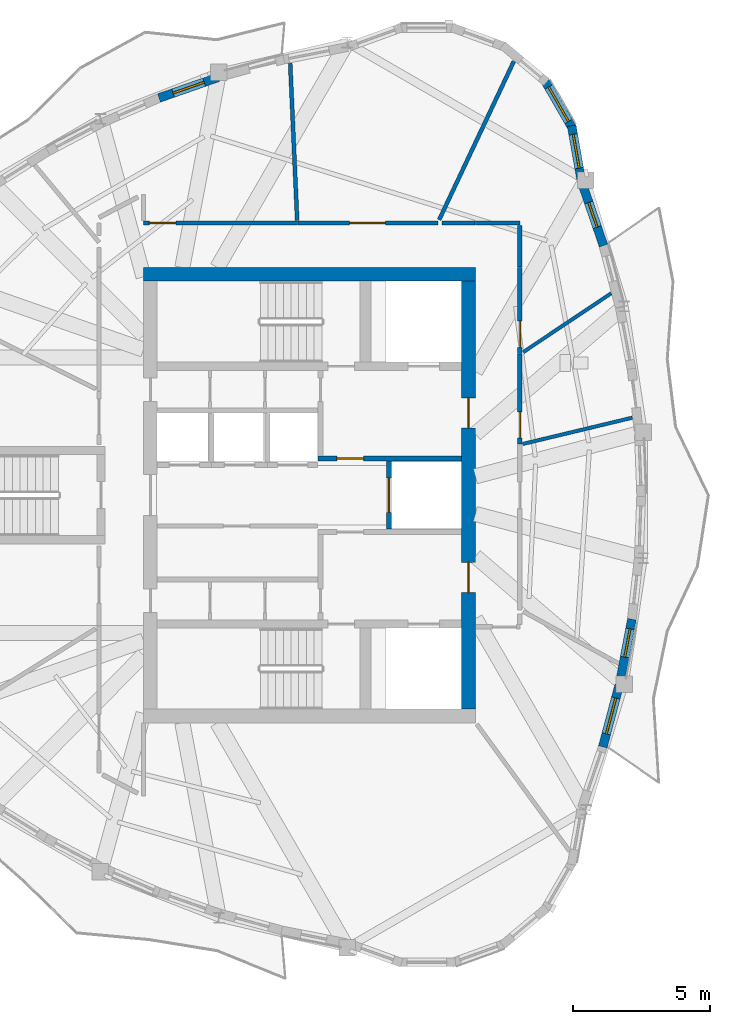
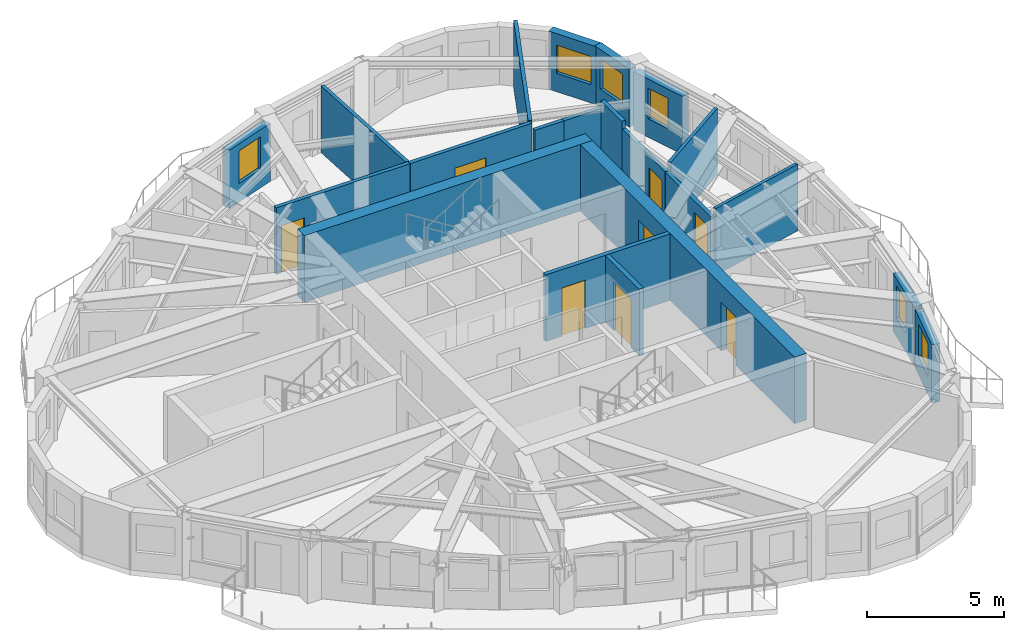
# One storey, part 6 of 11: 21 walls, 8 doors, 6 windows, 14 openings.
"""IFC4 building model written with IfcOpenShell, lengths in metres."""

from ifc_helpers import new_model, si_unit, direction, frame, frame_2d, origin, place, context, subcontext, project, spatial, rectangle, extrude, source, transform, mapped, material, layer, layer_set, type_object, element, fill, save


model = new_model("IFC4")

# Units and contexts
model_context = context("Model", 3, precision=1e-05, world=origin(), true_north=direction((0.0, 1.0)))
body_context = subcontext(model_context, "Body", "Model", "MODEL_VIEW")
ifc_project = project(units=[si_unit("LENGTHUNIT", "METRE"), si_unit("AREAUNIT", "SQUARE_METRE"), si_unit("VOLUMEUNIT", "CUBIC_METRE"), si_unit("PLANEANGLEUNIT", "RADIAN"), si_unit("MASSUNIT", "GRAM", prefix="KILO")], contexts=[model_context])

# Site, building, storey
site_placement = place(None, origin())
site = spatial("IfcSite", under=ifc_project, at=site_placement, CompositionType="ELEMENT")
building_placement = place(site_placement, origin())
building = spatial("IfcBuilding", under=site, at=building_placement, Name="Qafzar Sky-Pleat Residences", CompositionType="ELEMENT")
storey_placement = place(building_placement, frame((0.0, 0.0, 221.199951171875)))
storey = spatial("IfcBuildingStorey", under=building, at=storey_placement, Name="L66", CompositionType="ELEMENT", Elevation=221.199951171875)

# Wall, opening, door
ifc_material_1 = material(Name="Acoustic gypsum plasterboard partition", Category="gypsum")
ifc_layer_1 = layer(ifc_material_1, 0.159912109375)
ifc_layer_set_1 = layer_set([ifc_layer_1], Name="Acoustic gypsum plasterboard partition")
wall_type_1 = type_object("IfcWallType", Name="PART-COR-160", PredefinedType="PARTITIONING", material=ifc_layer_set_1)
wall_1_placement = place(storey_placement, frame((24.300048828125, 35.919921875, 0.0), z_axis=(0.0, 0.0, 1.0), x_axis=(1.0, 0.0, 0.0)))
wall_1 = element("IfcWall", 1, at=wall_1_placement, inside=storey, type_object=wall_type_1, Name="L66 Partition Wall PART-L66-PW-002", PredefinedType="PARTITIONING", context=body_context, shape_type="SweptSolid", body=[
    extrude(rectangle(XDim=5.623046875, YDim=0.159912109375, at=frame_2d((2.8115234375, 0.0))), origin(), (0.0, 0.0, 1.0), 2.9599609375),
])
opening_1_placement = place(wall_1_placement, frame((0.219970703125, 0.0, 0.0)))
opening_1 = element("IfcOpeningElement", 2, at=opening_1_placement, cuts=wall_1, Name="Opening ID-06", PredefinedType="OPENING", context=body_context, shape_type="SweptSolid", body=[
    extrude(rectangle(XDim=0.9599609375, YDim=2.10009765625, at=frame_2d((0.47998046875, 1.050048828125))), frame((0.0, 0.08984375, 0.0), z_axis=(0.0, -1.0, 0.0), x_axis=(1.0, 0.0, 0.0)), (0.0, 0.0, 1.0), 0.179931640625),
])
ifc_material_2 = material(Name="Timber-faced fire door", Category="wood")
door_type_1 = type_object("IfcDoorType", Name="DR-STD-960", OperationType="NOTDEFINED", PredefinedType="DOOR", material=ifc_material_2)
shared_shape_1 = source(origin(), body_context, "Body", "SweptSolid", [
    extrude(rectangle(XDim=0.9599609375, YDim=2.10009765625, at=frame_2d((0.47998046875, 1.050048828125))), frame((0.0, 0.02490234375, 0.0), z_axis=(0.0, -1.0, 0.0), x_axis=(1.0, 0.0, 0.0)), (0.0, 0.0, 1.0), 0.050048828125),
])
door_1_placement = place(opening_1_placement, origin())
door_1 = element("IfcDoor", 3, at=door_1_placement, inside=storey, type_object=door_type_1, Name="L66 Reading Library Door", OperationType="SINGLE_SWING_LEFT", OverallHeight=2.10009765625, OverallWidth=0.9599609375, PredefinedType="DOOR", context=body_context, shape_type="MappedRepresentation", body=[
    mapped(shared_shape_1, transform((0.0, 0.0, 0.0), x_axis=(1.0, 0.0, 0.0), y_axis=(0.0, 1.0, 0.0), z_axis=(0.0, 0.0, 1.0), scale=1.0)),
])
fill(opening_1, door_1)

wall_2_placement = place(storey_placement, frame((29.93798828125, 35.919921875, 0.0), z_axis=(0.0, 0.0, 1.0), x_axis=(1.0, 0.0, 0.0)))
wall_2 = element("IfcWall", 4, at=wall_2_placement, inside=storey, type_object=wall_type_1, Name="L66 Partition Wall PART-L66-PW-004", PredefinedType="PARTITIONING", context=body_context, shape_type="SweptSolid", body=[
    extrude(rectangle(XDim=5.10302734375, YDim=0.159912109375, at=frame_2d((2.551513671875, 0.0))), origin(), (0.0, 0.0, 1.0), 2.9599609375),
])
opening_2_placement = place(wall_2_placement, frame((1.8779296875, 0.0, 0.0)))
opening_2 = element("IfcOpeningElement", 5, at=opening_2_placement, cuts=wall_2, Name="Opening ID-05", PredefinedType="OPENING", context=body_context, shape_type="SweptSolid", body=[
    extrude(rectangle(XDim=1.300048828125, YDim=2.10009765625, at=frame_2d((0.64990234375, 1.050048828125))), frame((0.0, 0.08984375, 0.0), z_axis=(0.0, -1.0, 0.0), x_axis=(1.0, 0.0, 0.0)), (0.0, 0.0, 1.0), 0.179931640625),
])
door_type_2 = type_object("IfcDoorType", Name="DR-LNG-1300", OperationType="DOUBLE_DOOR_SINGLE_SWING", PredefinedType="DOOR", material=ifc_material_2)
shared_shape_2 = source(origin(), body_context, "Body", "SweptSolid", [
    extrude(rectangle(XDim=1.300048828125, YDim=2.10009765625, at=frame_2d((0.64990234375, 1.050048828125))), frame((0.0, 0.02490234375, 0.0), z_axis=(0.0, -1.0, 0.0), x_axis=(1.0, 0.0, 0.0)), (0.0, 0.0, 1.0), 0.050048828125),
])
door_2_placement = place(opening_2_placement, origin())
door_2 = element("IfcDoor", 6, at=door_2_placement, inside=storey, type_object=door_type_2, Name="L66 Graduate Lecture Room Door", OperationType="DOUBLE_DOOR_SINGLE_SWING", OverallHeight=2.10009765625, OverallWidth=1.300048828125, PredefinedType="DOOR", context=body_context, shape_type="MappedRepresentation", body=[
    mapped(shared_shape_2, transform((0.0, 0.0, 0.0), x_axis=(1.0, 0.0, 0.0), y_axis=(0.0, 1.0, 0.0), z_axis=(0.0, 0.0, 1.0), scale=1.0)),
])
fill(opening_2, door_2)

wall_3_placement = place(storey_placement, frame((38.02001953125, 31.14892578125, 0.0), z_axis=(0.0, 0.0, 1.0), x_axis=(0.0, -1.0, 0.0)))
wall_3 = element("IfcWall", 7, at=wall_3_placement, inside=storey, type_object=wall_type_1, Name="L66 Partition Wall PART-L66-PW-006", PredefinedType="PARTITIONING", context=body_context, shape_type="SweptSolid", body=[
    extrude(rectangle(XDim=3.27880859375, YDim=0.159912109375, at=frame_2d((1.639404296875, 0.0))), origin(), (0.0, 0.0, 1.0), 2.6279296875),
])
opening_3_placement = place(wall_3_placement, frame((2.10888671875, 0.0, 0.0)))
opening_3 = element("IfcOpeningElement", 8, at=opening_3_placement, cuts=wall_3, Name="Opening ID-08", PredefinedType="OPENING", context=body_context, shape_type="SweptSolid", body=[
    extrude(rectangle(XDim=0.949951171875, YDim=2.10009765625, at=frame_2d((0.47509765625, 1.050048828125))), frame((0.0, 0.08984375, 0.0), z_axis=(0.0, -1.0, 0.0), x_axis=(1.0, 0.0, 0.0)), (0.0, 0.0, 1.0), 0.179931640625),
])
door_type_3 = type_object("IfcDoorType", Name="DR-AWC-950", OperationType="NOTDEFINED", PredefinedType="DOOR", material=ifc_material_2)
shared_shape_3 = source(origin(), body_context, "Body", "SweptSolid", [
    extrude(rectangle(XDim=0.949951171875, YDim=2.10009765625, at=frame_2d((0.47509765625, 1.050048828125))), frame((0.0, 0.02490234375, 0.0), z_axis=(0.0, -1.0, 0.0), x_axis=(1.0, 0.0, 0.0)), (0.0, 0.0, 1.0), 0.050048828125),
])
door_3_placement = place(opening_3_placement, origin())
door_3 = element("IfcDoor", 9, at=door_3_placement, inside=storey, type_object=door_type_3, Name="L66 Accessible Shared Washroom Door", OperationType="SINGLE_SWING_LEFT", OverallHeight=2.10009765625, OverallWidth=0.949951171875, PredefinedType="DOOR", context=body_context, shape_type="MappedRepresentation", body=[
    mapped(shared_shape_3, transform((0.0, 0.0, 0.0), x_axis=(1.0, 0.0, 0.0), y_axis=(0.0, 1.0, 0.0), z_axis=(0.0, 0.0, 1.0), scale=1.0)),
])
fill(opening_3, door_3)

wall_4_placement = place(storey_placement, frame((38.02001953125, 31.1640625, 0.0), z_axis=(0.0, 0.0, 1.0), x_axis=(0.0, 1.0, 0.0)))
wall_4 = element("IfcWall", 10, at=wall_4_placement, inside=storey, type_object=wall_type_1, Name="L66 Partition Wall PART-L66-PW-007", PredefinedType="PARTITIONING", context=body_context, shape_type="SweptSolid", body=[
    extrude(rectangle(XDim=3.135986328125, YDim=0.159912109375, at=frame_2d((1.56787109375, 0.0))), origin(), (0.0, 0.0, 1.0), 2.6279296875),
])
opening_4_placement = place(wall_4_placement, frame((0.219970703125, 0.0, 0.0)))
opening_4 = element("IfcOpeningElement", 11, at=opening_4_placement, cuts=wall_4, Name="Opening ID-06", PredefinedType="OPENING", context=body_context, shape_type="SweptSolid", body=[
    extrude(rectangle(XDim=0.9599609375, YDim=2.10009765625, at=frame_2d((0.47998046875, 1.050048828125))), frame((0.0, 0.08984375, 0.0), z_axis=(0.0, -1.0, 0.0), x_axis=(1.0, 0.0, 0.0)), (0.0, 0.0, 1.0), 0.179931640625),
])
door_4_placement = place(opening_4_placement, origin())
door_4 = element("IfcDoor", 12, at=door_4_placement, inside=storey, type_object=door_type_1, Name="L66 Quiet Prayer Room Door", OperationType="SINGLE_SWING_RIGHT", OverallHeight=2.10009765625, OverallWidth=0.9599609375, PredefinedType="DOOR", context=body_context, shape_type="MappedRepresentation", body=[
    mapped(shared_shape_1, transform((0.0, 0.0, 0.0), x_axis=(1.0, 0.0, 0.0), y_axis=(0.0, 1.0, 0.0), z_axis=(0.0, 0.0, 1.0), scale=1.0)),
])
fill(opening_4, door_4)

# Walls
wall_5_placement = place(storey_placement, frame((36.39990234375, 35.919921875, 0.0), z_axis=(0.0, 0.0, 1.0), x_axis=(1.0, 0.0, 0.0)))
element("IfcWall", 13, at=wall_5_placement, inside=storey, type_object=wall_type_1, Name="L66 Partition Wall PART-L66-PW-022", PredefinedType="PARTITIONING", context=body_context, shape_type="SweptSolid", body=[
    extrude(rectangle(XDim=1.6201171875, YDim=0.159912109375, at=frame_2d((0.81005859375, 0.0))), origin(), (0.0, 0.0, 1.0), 2.59814453125),
])
wall_6_placement = place(storey_placement, frame((38.02001953125, 34.31494140625, 0.0), z_axis=(0.0, 0.0, 1.0), x_axis=(0.0, 1.0, 0.0)))
element("IfcWall", 14, at=wall_6_placement, inside=storey, type_object=wall_type_1, Name="L66 Partition Wall PART-L66-PW-023", PredefinedType="PARTITIONING", context=body_context, shape_type="SweptSolid", body=[
    extrude(rectangle(XDim=1.51708984375, YDim=0.159912109375, at=frame_2d((0.758544921875, 0.0))), origin(), (0.0, 0.0, 1.0), 2.9599609375),
])
wall_7_placement = place(storey_placement, frame((35.181884765625, 35.919921875, 0.0), z_axis=(0.0, 0.0, 1.0), x_axis=(1.0, 0.0, 0.0)))
element("IfcWall", 15, at=wall_7_placement, inside=storey, type_object=wall_type_1, Name="L66 Partition Wall PART-L66-PW-026", PredefinedType="PARTITIONING", context=body_context, shape_type="SweptSolid", body=[
    extrude(rectangle(XDim=1.203125, YDim=0.159912109375, at=frame_2d((0.6015625, 0.0))), origin(), (0.0, 0.0, 1.0), 2.59814453125),
])

# Wall, opening, door
ifc_material_3 = material(Name="Concrete blockwork partition", Category="masonry")
ifc_layer_2 = layer(ifc_material_3, 0.179931640625)
ifc_layer_set_2 = layer_set([ifc_layer_2], Name="Concrete blockwork partition")
wall_type_2 = type_object("IfcWallType", Name="PART-SHAFT-180", PredefinedType="PARTITIONING", material=ifc_layer_set_2)
wall_8_placement = place(storey_placement, frame((30.669921875, 27.340087890625, 0.0), z_axis=(0.0, 0.0, 1.0), x_axis=(1.0, 0.0, 0.0)))
wall_8 = element("IfcWall", 16, at=wall_8_placement, inside=storey, type_object=wall_type_2, Name="L66 Partition Wall PART-L66-FFL2-S", PredefinedType="PARTITIONING", context=body_context, shape_type="SweptSolid", body=[
    extrude(rectangle(XDim=5.219970703125, YDim=0.179931640625, at=frame_2d((2.60986328125, 0.0))), origin(), (0.0, 0.0, 1.0), 2.9599609375),
])
opening_5_placement = place(wall_8_placement, frame((0.679931640625, 0.0, 0.0)))
opening_5 = element("IfcOpeningElement", 17, at=opening_5_placement, cuts=wall_8, Name="Opening ID-01", PredefinedType="OPENING", context=body_context, shape_type="SweptSolid", body=[
    extrude(rectangle(XDim=0.97998046875, YDim=2.14990234375, at=frame_2d((0.489990234375, 1.074951171875))), frame((0.0, 0.10009765625, 0.0), z_axis=(0.0, -1.0, 0.0), x_axis=(1.0, 0.0, 0.0)), (0.0, 0.0, 1.0), 0.199951171875),
])
door_type_4 = type_object("IfcDoorType", Name="DR-STAIR-980", OperationType="NOTDEFINED", PredefinedType="DOOR", material=ifc_material_2)
shared_shape_4 = source(origin(), body_context, "Body", "SweptSolid", [
    extrude(rectangle(XDim=0.97998046875, YDim=2.14990234375, at=frame_2d((0.489990234375, 1.074951171875))), frame((0.0, 0.02490234375, 0.0), z_axis=(0.0, -1.0, 0.0), x_axis=(1.0, 0.0, 0.0)), (0.0, 0.0, 1.0), 0.050048828125),
])
door_5_placement = place(opening_5_placement, origin())
door_5 = element("IfcDoor", 18, at=door_5_placement, inside=storey, type_object=door_type_4, Name="L66 Lift Lobby to North Firefighting Lobby Door", OperationType="SINGLE_SWING_RIGHT", OverallHeight=2.14990234375, OverallWidth=0.97998046875, PredefinedType="DOOR", context=body_context, shape_type="MappedRepresentation", body=[
    mapped(shared_shape_4, transform((0.0, 0.0, 0.0), x_axis=(1.0, 0.0, 0.0), y_axis=(0.0, 1.0, 0.0), z_axis=(0.0, 0.0, 1.0), scale=1.0)),
])
fill(opening_5, door_5)

wall_9_placement = place(storey_placement, frame((33.25, 24.760009765625, 0.0), z_axis=(0.0, 0.0, 1.0), x_axis=(0.0, 1.0, 0.0)))
wall_9 = element("IfcWall", 19, at=wall_9_placement, inside=storey, type_object=wall_type_2, Name="L66 Partition Wall PART-L66-SV1-W", PredefinedType="PARTITIONING", context=body_context, shape_type="SweptSolid", body=[
    extrude(rectangle(XDim=2.47998046875, YDim=0.179931640625, at=frame_2d((1.239990234375, 0.0))), origin(), (0.0, 0.0, 1.0), 2.9599609375),
])
opening_6_placement = place(wall_9_placement, frame((0.614990234375, 0.0, 0.0)))
opening_6 = element("IfcOpeningElement", 20, at=opening_6_placement, cuts=wall_9, Name="Opening LD-03", PredefinedType="OPENING", context=body_context, shape_type="SweptSolid", body=[
    extrude(rectangle(XDim=1.25, YDim=2.14990234375, at=frame_2d((0.625, 1.074951171875))), frame((0.0, 0.10009765625, 0.0), z_axis=(0.0, -1.0, 0.0), x_axis=(1.0, 0.0, 0.0)), (0.0, 0.0, 1.0), 0.199951171875),
])
ifc_material_4 = material(Name="Stainless steel sliding landing door", Category="steel")
door_type_5 = type_object("IfcDoorType", Name="DR-LIFT-SV", OperationType="DOUBLE_DOOR_SLIDING", PredefinedType="DOOR", material=ifc_material_4)
shared_shape_5 = source(origin(), body_context, "Body", "SweptSolid", [
    extrude(rectangle(XDim=1.25, YDim=2.14990234375, at=frame_2d((0.625, 1.074951171875))), frame((0.0, 0.02490234375, 0.0), z_axis=(0.0, -1.0, 0.0), x_axis=(1.0, 0.0, 0.0)), (0.0, 0.0, 1.0), 0.050048828125),
])
door_6_placement = place(opening_6_placement, origin())
door_6 = element("IfcDoor", 21, at=door_6_placement, inside=storey, type_object=door_type_5, Name="L66 Service Lift SV1 Landing Door", OperationType="DOUBLE_DOOR_SLIDING", OverallHeight=2.14990234375, OverallWidth=1.25, PredefinedType="DOOR", context=body_context, shape_type="MappedRepresentation", body=[
    mapped(shared_shape_5, transform((0.0, 0.0, 0.0), x_axis=(1.0, 0.0, 0.0), y_axis=(0.0, 1.0, 0.0), z_axis=(0.0, 0.0, 1.0), scale=1.0)),
])
fill(opening_6, door_6)

# Walls
ifc_layer_3 = layer(ifc_material_1, 0.14501953125)
ifc_layer_set_3 = layer_set([ifc_layer_3], Name="Acoustic gypsum plasterboard partition")
wall_type_3 = type_object("IfcWallType", Name="PART-UNIT-145", PredefinedType="PARTITIONING", material=ifc_layer_set_3)
wall_10_placement = place(storey_placement, frame((35.07958984375, 36.0380859375, 0.0), z_axis=(0.0, 0.0, 1.0), x_axis=(0.426214985607, 0.904621902258, 0.0)))
element("IfcWall", 22, at=wall_10_placement, inside=storey, type_object=wall_type_3, Name="L66 Partition Wall PART-L66-PW-014", PredefinedType="PARTITIONING", context=body_context, shape_type="SweptSolid", body=[
    extrude(rectangle(XDim=6.385009765625, YDim=0.14501953125, at=frame_2d((3.1923828125, 0.0))), origin(), (0.0, 0.0, 1.0), 2.9599609375),
])
wall_11_placement = place(storey_placement, frame((29.6494140625, 41.74462890625, 0.0), z_axis=(0.0, 0.0, 1.0), x_axis=(0.044327022296, -0.999017074476, 0.0)))
element("IfcWall", 23, at=wall_11_placement, inside=storey, type_object=wall_type_3, Name="L66 Partition Wall PART-L66-PW-015", PredefinedType="PARTITIONING", context=body_context, shape_type="SweptSolid", body=[
    extrude(rectangle(XDim=5.739013671875, YDim=0.14501953125, at=frame_2d((2.86962890625, 0.0))), origin(), (0.0, 0.0, 1.0), 2.9599609375),
])
ifc_material_5 = material(Name="Moisture-resistant gypsum partition", Category="gypsum")
ifc_layer_4 = layer(ifc_material_5, 0.1298828125)
ifc_layer_set_4 = layer_set([ifc_layer_4], Name="Moisture-resistant gypsum partition")
wall_type_4 = type_object("IfcWallType", Name="PART-WET-130", PredefinedType="PARTITIONING", material=ifc_layer_set_4)
wall_12_placement = place(storey_placement, frame((38.122802734375, 27.86474609375, 0.0), z_axis=(0.0, 0.0, 1.0), x_axis=(0.972444961782, 0.233132572379, 0.0)))
element("IfcWall", 24, at=wall_12_placement, inside=storey, type_object=wall_type_4, Name="L66 Partition Wall PART-L66-PW-017", PredefinedType="PARTITIONING", context=body_context, shape_type="SweptSolid", body=[
    extrude(rectangle(XDim=4.1103515625, YDim=0.1298828125, at=frame_2d((2.05517578125, 0.0))), origin(), (0.0, 0.0, 1.0), 2.9599609375),
])
wall_13_placement = place(storey_placement, frame((38.142822265625, 31.213134765625, 0.0), z_axis=(0.0, 0.0, 1.0), x_axis=(0.831154063558, 0.556042195009, 0.0)))
element("IfcWall", 25, at=wall_13_placement, inside=storey, type_object=wall_type_4, Name="L66 Partition Wall PART-L66-PW-019", PredefinedType="PARTITIONING", context=body_context, shape_type="SweptSolid", body=[
    extrude(rectangle(XDim=3.8603515625, YDim=0.1298828125, at=frame_2d((1.93017578125, 0.0))), origin(), (0.0, 0.0, 1.0), 2.9599609375),
])

# Wall, opening, window
ifc_material_6 = material(Name="Precast concrete C40/50 with honed Riyadh limestone", Category="concrete")
ifc_layer_5 = layer(ifc_material_6, 0.320068359375)
ifc_layer_set_5 = layer_set([ifc_layer_5], Name="Precast concrete C40/50 with honed Riyadh limestone")
wall_type_5 = type_object("IfcWallType", Name="WALL-EXT-320", PredefinedType="SOLIDWALL", material=ifc_layer_set_5)
wall_14_placement = place(storey_placement, frame((41.04541015625, 16.824462890625, 0.0), z_axis=(0.0, 0.0, 1.0), x_axis=(0.257099982868, 0.966384808867, 0.0)))
wall_14 = element("IfcWall", 26, at=wall_14_placement, inside=storey, type_object=wall_type_5, Name="L66 Limestone Facade Wall 24", PredefinedType="SOLIDWALL", context=body_context, shape_type="SweptSolid", body=[
    extrude(rectangle(XDim=2.32275390625, YDim=0.320068359375, at=frame_2d((1.161376953125, 0.0))), origin(), (0.0, 0.0, 1.0), 2.580078125),
])
opening_7_placement = place(wall_14_placement, frame((0.491455078125, 0.0, 0.820068359375)))
opening_7 = element("IfcOpeningElement", 27, at=opening_7_placement, cuts=wall_14, Name="Opening WN-04", PredefinedType="OPENING", context=body_context, shape_type="SweptSolid", body=[
    extrude(rectangle(XDim=1.35009765625, YDim=1.449951171875, at=frame_2d((0.675048828125, 0.72509765625))), frame((0.0, 0.169921875, 0.0), z_axis=(0.0, -1.0, 0.0), x_axis=(1.0, 0.0, 0.0)), (0.0, 0.0, 1.0), 0.340087890625),
])
ifc_material_7 = material(Name="Solar-control low-E glass in bronze aluminium frame", Category="glass")
window_type_1 = type_object("IfcWindowType", Name="WIN-04", PartitioningType="SINGLE_PANEL", PredefinedType="WINDOW", material=ifc_material_7)
shared_shape_6 = source(origin(), body_context, "Body", "SweptSolid", [
    extrude(rectangle(XDim=1.35009765625, YDim=1.449951171875, at=frame_2d((0.675048828125, 0.72509765625))), frame((0.0, 0.030029296875, 0.0), z_axis=(0.0, -1.0, 0.0), x_axis=(1.0, 0.0, 0.0)), (0.0, 0.0, 1.0), 0.06005859375),
])
window_1_placement = place(opening_7_placement, origin())
window_1 = element("IfcWindow", 28, at=window_1_placement, inside=storey, type_object=window_type_1, Name="L66 Punched Facade Window 24", OverallHeight=1.449951171875, OverallWidth=1.35009765625, PartitioningType="SINGLE_PANEL", PredefinedType="WINDOW", context=body_context, shape_type="MappedRepresentation", body=[
    mapped(shared_shape_6, transform((0.0, 0.0, 0.0), x_axis=(1.0, 0.0, 0.0), y_axis=(0.0, 1.0, 0.0), z_axis=(0.0, 0.0, 1.0), scale=1.0)),
])
fill(opening_7, window_1)

wall_15_placement = place(storey_placement, frame((41.679931640625, 19.2333984375, 0.0), z_axis=(0.0, 0.0, 1.0), x_axis=(0.186630727552, 0.982430135701, 0.0)))
wall_15 = element("IfcWall", 29, at=wall_15_placement, inside=storey, type_object=wall_type_5, Name="L66 Limestone Facade Wall 25", PredefinedType="SOLIDWALL", context=body_context, shape_type="SweptSolid", body=[
    extrude(rectangle(XDim=2.283935546875, YDim=0.320068359375, at=frame_2d((1.14208984375, 0.0))), origin(), (0.0, 0.0, 1.0), 2.580078125),
])
opening_8_placement = place(wall_15_placement, frame((0.877685546875, 0.0, 0.820068359375)))
opening_8 = element("IfcOpeningElement", 30, at=opening_8_placement, cuts=wall_15, Name="Opening WN-06", PredefinedType="OPENING", context=body_context, shape_type="SweptSolid", body=[
    extrude(rectangle(XDim=1.050048828125, YDim=1.449951171875, at=frame_2d((0.52490234375, 0.72509765625))), frame((0.0, 0.169921875, 0.0), z_axis=(0.0, -1.0, 0.0), x_axis=(1.0, 0.0, 0.0)), (0.0, 0.0, 1.0), 0.340087890625),
])
window_type_2 = type_object("IfcWindowType", Name="WIN-06", PartitioningType="SINGLE_PANEL", PredefinedType="WINDOW", material=ifc_material_7)
shared_shape_7 = source(origin(), body_context, "Body", "SweptSolid", [
    extrude(rectangle(XDim=1.050048828125, YDim=1.449951171875, at=frame_2d((0.52490234375, 0.72509765625))), frame((0.0, 0.030029296875, 0.0), z_axis=(0.0, -1.0, 0.0), x_axis=(1.0, 0.0, 0.0)), (0.0, 0.0, 1.0), 0.06005859375),
])
window_2_placement = place(opening_8_placement, origin())
window_2 = element("IfcWindow", 31, at=window_2_placement, inside=storey, type_object=window_type_2, Name="L66 Punched Facade Window 25-2", OverallHeight=1.449951171875, OverallWidth=1.050048828125, PartitioningType="SINGLE_PANEL", PredefinedType="WINDOW", context=body_context, shape_type="MappedRepresentation", body=[
    mapped(shared_shape_7, transform((0.0, 0.0, 0.0), x_axis=(1.0, 0.0, 0.0), y_axis=(0.0, 1.0, 0.0), z_axis=(0.0, 0.0, 1.0), scale=1.0)),
])
fill(opening_8, window_2)

wall_16_placement = place(storey_placement, frame((41.07080078125, 35.09228515625, 0.0), z_axis=(0.0, 0.0, 1.0), x_axis=(-0.323624668926, 0.946185538709, 0.0)))
wall_16 = element("IfcWall", 32, at=wall_16_placement, inside=storey, type_object=wall_type_5, Name="L66 Limestone Facade Wall 32", PredefinedType="SOLIDWALL", context=body_context, shape_type="SweptSolid", body=[
    extrude(rectangle(XDim=2.373291015625, YDim=0.320068359375, at=frame_2d((1.1865234375, 0.0))), origin(), (0.0, 0.0, 1.0), 2.580078125),
])
opening_9_placement = place(wall_16_placement, frame((0.716796875, 0.0, 0.820068359375)))
opening_9 = element("IfcOpeningElement", 33, at=opening_9_placement, cuts=wall_16, Name="Opening WN-12", PredefinedType="OPENING", context=body_context, shape_type="SweptSolid", body=[
    extrude(rectangle(XDim=0.949951171875, YDim=1.35009765625, at=frame_2d((0.47509765625, 0.675048828125))), frame((0.0, 0.169921875, 0.0), z_axis=(0.0, -1.0, 0.0), x_axis=(1.0, 0.0, 0.0)), (0.0, 0.0, 1.0), 0.340087890625),
])
window_type_3 = type_object("IfcWindowType", Name="WIN-12", PartitioningType="SINGLE_PANEL", PredefinedType="WINDOW", material=ifc_material_7)
shared_shape_8 = source(origin(), body_context, "Body", "SweptSolid", [
    extrude(rectangle(XDim=0.949951171875, YDim=1.35009765625, at=frame_2d((0.47509765625, 0.675048828125))), frame((0.0, 0.030029296875, 0.0), z_axis=(0.0, -1.0, 0.0), x_axis=(1.0, 0.0, 0.0)), (0.0, 0.0, 1.0), 0.06005859375),
])
window_3_placement = place(opening_9_placement, origin())
window_3 = element("IfcWindow", 34, at=window_3_placement, inside=storey, type_object=window_type_3, Name="L66 Punched Facade Window 32", OverallHeight=1.35009765625, OverallWidth=0.949951171875, PartitioningType="SINGLE_PANEL", PredefinedType="WINDOW", context=body_context, shape_type="MappedRepresentation", body=[
    mapped(shared_shape_8, transform((0.0, 0.0, 0.0), x_axis=(1.0, 0.0, 0.0), y_axis=(0.0, 1.0, 0.0), z_axis=(0.0, 0.0, 1.0), scale=1.0)),
])
fill(opening_9, window_3)

wall_17_placement = place(storey_placement, frame((40.251708984375, 37.53564453125, 0.0), z_axis=(0.0, 0.0, 1.0), x_axis=(-0.173671780312, 0.984803590937, 0.0)))
wall_17 = element("IfcWall", 35, at=wall_17_placement, inside=storey, type_object=wall_type_5, Name="L66 Limestone Facade Wall 33", PredefinedType="SOLIDWALL", context=body_context, shape_type="SweptSolid", body=[
    extrude(rectangle(XDim=1.96240234375, YDim=0.320068359375, at=frame_2d((0.981201171875, 0.0))), origin(), (0.0, 0.0, 1.0), 2.580078125),
])
opening_10_placement = place(wall_17_placement, frame((0.39111328125, 0.0, 0.820068359375)))
opening_10 = element("IfcOpeningElement", 36, at=opening_10_placement, cuts=wall_17, Name="Opening WN-11", PredefinedType="OPENING", context=body_context, shape_type="SweptSolid", body=[
    extrude(rectangle(XDim=1.25, YDim=1.35009765625, at=frame_2d((0.625, 0.675048828125))), frame((0.0, 0.169921875, 0.0), z_axis=(0.0, -1.0, 0.0), x_axis=(1.0, 0.0, 0.0)), (0.0, 0.0, 1.0), 0.340087890625),
])
window_type_4 = type_object("IfcWindowType", Name="WIN-11", PartitioningType="SINGLE_PANEL", PredefinedType="WINDOW", material=ifc_material_7)
shared_shape_9 = source(origin(), body_context, "Body", "SweptSolid", [
    extrude(rectangle(XDim=1.25, YDim=1.35009765625, at=frame_2d((0.625, 0.675048828125))), frame((0.0, 0.030029296875, 0.0), z_axis=(0.0, -1.0, 0.0), x_axis=(1.0, 0.0, 0.0)), (0.0, 0.0, 1.0), 0.06005859375),
])
window_4_placement = place(opening_10_placement, origin())
window_4 = element("IfcWindow", 37, at=window_4_placement, inside=storey, type_object=window_type_4, Name="L66 Punched Facade Window 33", OverallHeight=1.35009765625, OverallWidth=1.25, PartitioningType="SINGLE_PANEL", PredefinedType="WINDOW", context=body_context, shape_type="MappedRepresentation", body=[
    mapped(shared_shape_9, transform((0.0, 0.0, 0.0), x_axis=(1.0, 0.0, 0.0), y_axis=(0.0, 1.0, 0.0), z_axis=(0.0, 0.0, 1.0), scale=1.0)),
])
fill(opening_10, window_4)

wall_18_placement = place(storey_placement, frame((39.95556640625, 39.345703125, 0.0), z_axis=(0.0, 0.0, 1.0), x_axis=(-0.499995423472, 0.866028046028, 0.0)))
wall_18 = element("IfcWall", 38, at=wall_18_placement, inside=storey, type_object=wall_type_5, Name="L66 Limestone Facade Wall 34", PredefinedType="SOLIDWALL", context=body_context, shape_type="SweptSolid", body=[
    extrude(rectangle(XDim=2.09033203125, YDim=0.320068359375, at=frame_2d((1.045166015625, 0.0))), origin(), (0.0, 0.0, 1.0), 2.580078125),
])
opening_11_placement = place(wall_18_placement, frame((0.320068359375, 0.0, 0.820068359375)))
opening_11 = element("IfcOpeningElement", 39, at=opening_11_placement, cuts=wall_18, Name="Opening WN-15", PredefinedType="OPENING", context=body_context, shape_type="SweptSolid", body=[
    extrude(rectangle(XDim=1.449951171875, YDim=1.25, at=frame_2d((0.72509765625, 0.625))), frame((0.0, 0.169921875, 0.0), z_axis=(0.0, -1.0, 0.0), x_axis=(1.0, 0.0, 0.0)), (0.0, 0.0, 1.0), 0.340087890625),
])
window_type_5 = type_object("IfcWindowType", Name="WIN-15", PartitioningType="SINGLE_PANEL", PredefinedType="WINDOW", material=ifc_material_7)
shared_shape_10 = source(origin(), body_context, "Body", "SweptSolid", [
    extrude(rectangle(XDim=1.449951171875, YDim=1.25, at=frame_2d((0.72509765625, 0.625))), frame((0.0, 0.030029296875, 0.0), z_axis=(0.0, -1.0, 0.0), x_axis=(1.0, 0.0, 0.0)), (0.0, 0.0, 1.0), 0.06005859375),
])
window_5_placement = place(opening_11_placement, origin())
window_5 = element("IfcWindow", 40, at=window_5_placement, inside=storey, type_object=window_type_5, Name="L66 Punched Facade Window 34", OverallHeight=1.25, OverallWidth=1.449951171875, PartitioningType="SINGLE_PANEL", PredefinedType="WINDOW", context=body_context, shape_type="MappedRepresentation", body=[
    mapped(shared_shape_10, transform((0.0, 0.0, 0.0), x_axis=(1.0, 0.0, 0.0), y_axis=(0.0, 1.0, 0.0), z_axis=(0.0, 0.0, 1.0), scale=1.0)),
])
fill(opening_11, window_5)

wall_19_placement = place(storey_placement, frame((27.02001953125, 41.23046875, 0.0), z_axis=(0.0, 0.0, 1.0), x_axis=(-0.944142960918, -0.329536142705, 0.0)))
wall_19 = element("IfcWall", 41, at=wall_19_placement, inside=storey, type_object=wall_type_5, Name="L66 Limestone Facade Wall 41", PredefinedType="SOLIDWALL", context=body_context, shape_type="SweptSolid", body=[
    extrude(rectangle(XDim=2.2841796875, YDim=0.320068359375, at=frame_2d((1.14208984375, 0.0))), origin(), (0.0, 0.0, 1.0), 2.580078125),
])
opening_12_placement = place(wall_19_placement, frame((0.537109375, 0.0, 0.820068359375)))
opening_12 = element("IfcOpeningElement", 42, at=opening_12_placement, cuts=wall_19, Name="Opening WN-05", PredefinedType="OPENING", context=body_context, shape_type="SweptSolid", body=[
    extrude(rectangle(XDim=1.199951171875, YDim=1.449951171875, at=frame_2d((0.60009765625, 0.72509765625))), frame((0.0, 0.169921875, 0.0), z_axis=(0.0, -1.0, 0.0), x_axis=(1.0, 0.0, 0.0)), (0.0, 0.0, 1.0), 0.340087890625),
])
window_type_6 = type_object("IfcWindowType", Name="WIN-05", PartitioningType="SINGLE_PANEL", PredefinedType="WINDOW", material=ifc_material_7)
shared_shape_11 = source(origin(), body_context, "Body", "SweptSolid", [
    extrude(rectangle(XDim=1.199951171875, YDim=1.449951171875, at=frame_2d((0.60009765625, 0.72509765625))), frame((0.0, 0.030029296875, 0.0), z_axis=(0.0, -1.0, 0.0), x_axis=(1.0, 0.0, 0.0)), (0.0, 0.0, 1.0), 0.06005859375),
])
window_6_placement = place(opening_12_placement, origin())
window_6 = element("IfcWindow", 43, at=window_6_placement, inside=storey, type_object=window_type_6, Name="L66 Punched Facade Window 41", OverallHeight=1.449951171875, OverallWidth=1.199951171875, PartitioningType="SINGLE_PANEL", PredefinedType="WINDOW", context=body_context, shape_type="MappedRepresentation", body=[
    mapped(shared_shape_11, transform((0.0, 0.0, 0.0), x_axis=(1.0, 0.0, 0.0), y_axis=(0.0, 1.0, 0.0), z_axis=(0.0, 0.0, 1.0), scale=1.0)),
])
fill(opening_12, window_6)

# Wall
ifc_material_8 = material(Name="Concrete C60/75", Category="concrete")
ifc_layer_6 = layer(ifc_material_8, 0.5)
ifc_layer_set_6 = layer_set([ifc_layer_6], Name="Concrete C60/75")
wall_type_6 = type_object("IfcWallType", Name="WALL-SHEAR-500", PredefinedType="SHEAR", material=ifc_layer_set_6)
wall_20_placement = place(storey_placement, frame((36.39990234375, 34.050048828125, 0.0), z_axis=(0.0, 0.0, 1.0), x_axis=(-1.0, 0.0, 0.0)))
element("IfcWall", 44, at=wall_20_placement, inside=storey, type_object=wall_type_6, Name="L66 CORE wall N", PredefinedType="SHEAR", context=body_context, shape_type="SweptSolid", body=[
    extrude(rectangle(XDim=12.099853515625, YDim=0.5, at=frame_2d((6.0498046875, 0.0))), origin(), (0.0, 0.0, 1.0), 2.9599609375),
])

# Wall, openings, doors
wall_21_placement = place(storey_placement, frame((36.14990234375, 18.199951171875, 0.0), z_axis=(0.0, 0.0, 1.0), x_axis=(0.0, 1.0, 0.0)))
wall_21 = element("IfcWall", 45, at=wall_21_placement, inside=storey, type_object=wall_type_6, Name="L66 CORE wall E", PredefinedType="SHEAR", context=body_context, shape_type="SweptSolid", body=[
    extrude(rectangle(XDim=15.60009765625, YDim=0.5, at=frame_2d((7.800048828125, 0.0))), origin(), (0.0, 0.0, 1.0), 2.9599609375),
])
opening_13_placement = place(wall_21_placement, frame((4.25, 0.0, 0.0)))
opening_13 = element("IfcOpeningElement", 46, at=opening_13_placement, cuts=wall_21, Name="Opening ID-02", PredefinedType="OPENING", context=body_context, shape_type="SweptSolid", body=[
    extrude(rectangle(XDim=1.10009765625, YDim=2.14990234375, at=frame_2d((0.550048828125, 1.074951171875))), frame((0.0, 0.260009765625, 0.0), z_axis=(0.0, -1.0, 0.0), x_axis=(1.0, 0.0, 0.0)), (0.0, 0.0, 1.0), 0.52001953125),
])
opening_14_placement = place(wall_21_placement, frame((10.25, 0.0, 0.0)))
opening_14 = element("IfcOpeningElement", 47, at=opening_14_placement, cuts=wall_21, Name="Opening ID-02", PredefinedType="OPENING", context=body_context, shape_type="SweptSolid", body=[
    extrude(rectangle(XDim=1.10009765625, YDim=2.14990234375, at=frame_2d((0.550048828125, 1.074951171875))), frame((0.0, 0.260009765625, 0.0), z_axis=(0.0, -1.0, 0.0), x_axis=(1.0, 0.0, 0.0)), (0.0, 0.0, 1.0), 0.52001953125),
])
door_type_6 = type_object("IfcDoorType", Name="DR-FFL-1100", OperationType="NOTDEFINED", PredefinedType="DOOR", material=ifc_material_2)
shared_shape_12 = source(origin(), body_context, "Body", "SweptSolid", [
    extrude(rectangle(XDim=1.10009765625, YDim=2.14990234375, at=frame_2d((0.550048828125, 1.074951171875))), frame((0.0, 0.02490234375, 0.0), z_axis=(0.0, -1.0, 0.0), x_axis=(1.0, 0.0, 0.0)), (0.0, 0.0, 1.0), 0.050048828125),
])
door_7_placement = place(opening_13_placement, origin())
door_7 = element("IfcDoor", 48, at=door_7_placement, inside=storey, type_object=door_type_6, Name="L66 Firefighting Lobby South Corridor Door", OperationType="SINGLE_SWING_LEFT", OverallHeight=2.14990234375, OverallWidth=1.10009765625, PredefinedType="DOOR", context=body_context, shape_type="MappedRepresentation", body=[
    mapped(shared_shape_12, transform((0.0, 0.0, 0.0), x_axis=(1.0, 0.0, 0.0), y_axis=(0.0, 1.0, 0.0), z_axis=(0.0, 0.0, 1.0), scale=1.0)),
])
fill(opening_13, door_7)
door_8_placement = place(opening_14_placement, origin())
door_8 = element("IfcDoor", 49, at=door_8_placement, inside=storey, type_object=door_type_6, Name="L66 Firefighting Lobby North Corridor Door", OperationType="SINGLE_SWING_RIGHT", OverallHeight=2.14990234375, OverallWidth=1.10009765625, PredefinedType="DOOR", context=body_context, shape_type="MappedRepresentation", body=[
    mapped(shared_shape_12, transform((0.0, 0.0, 0.0), x_axis=(1.0, 0.0, 0.0), y_axis=(0.0, 1.0, 0.0), z_axis=(0.0, 0.0, 1.0), scale=1.0)),
])
fill(opening_14, door_8)

save(model, "model.ifc")
